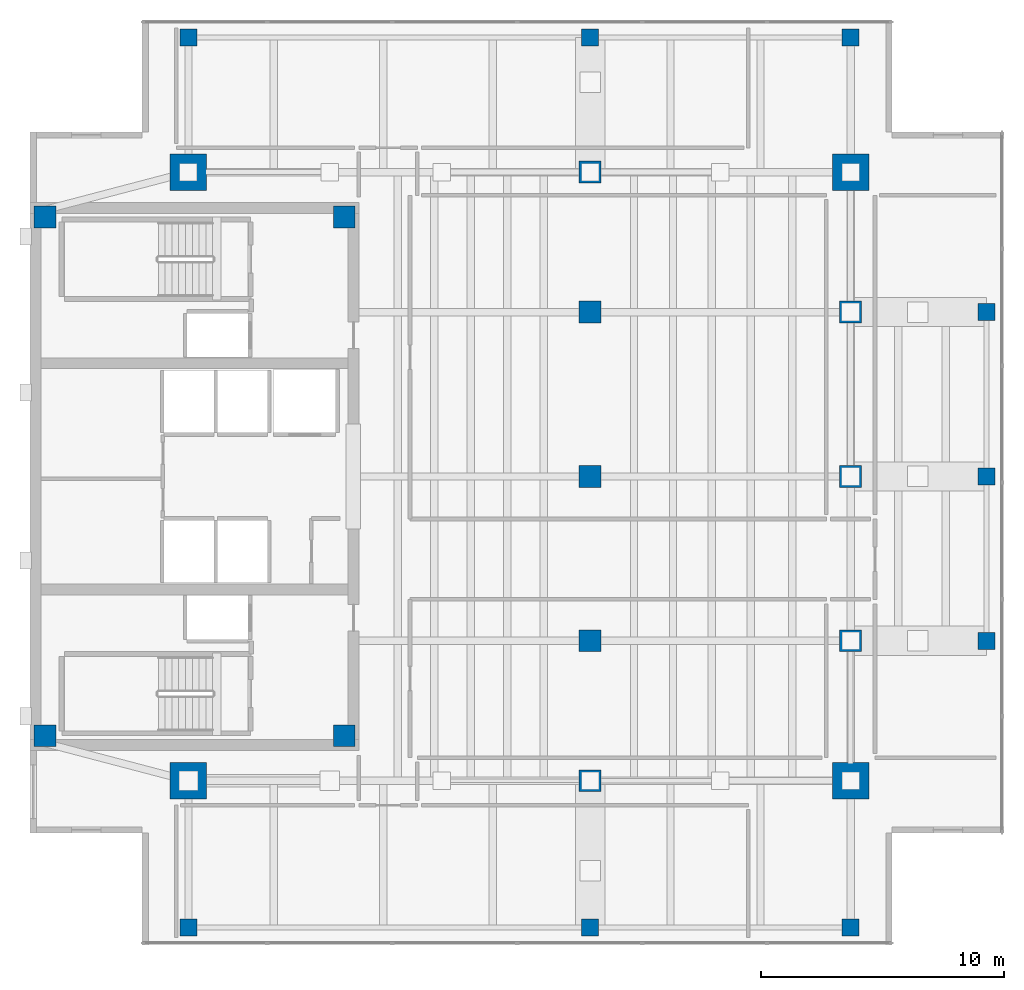
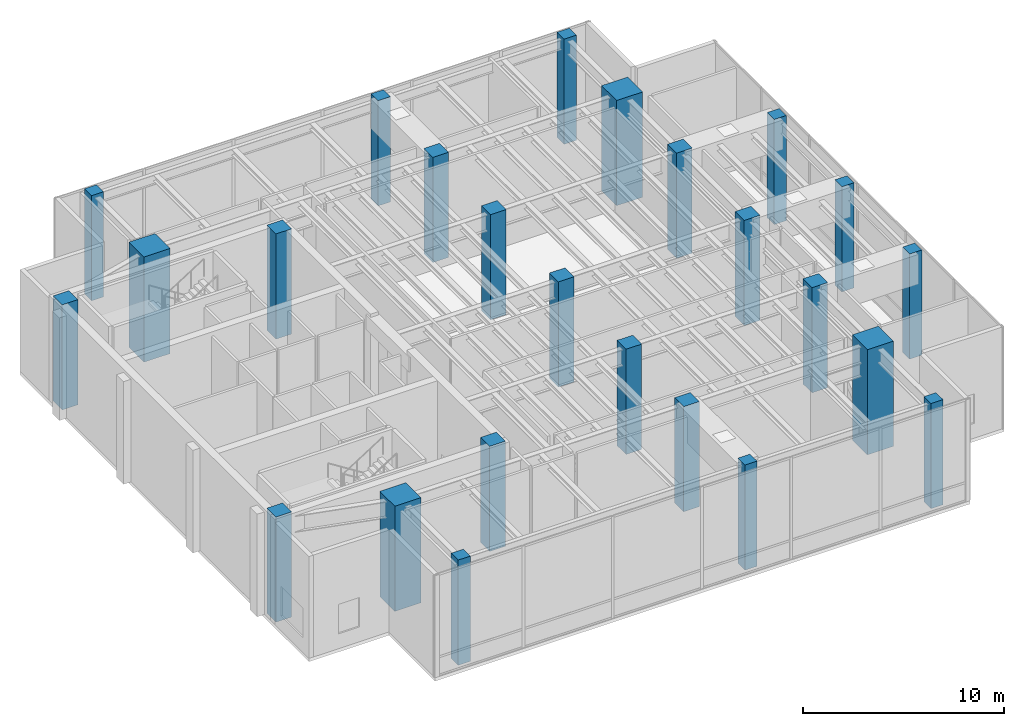
# One storey, part 1 of 11: 25 columns.
"""IFC4 building model written with IfcOpenShell, lengths in metres."""

from ifc_helpers import new_model, si_unit, direction, frame, origin, origin_2d, place, context, subcontext, project, spatial, rectangle, extrude, material, material_profile, profile_set, type_object, element, save


model = new_model("IFC4")

# Units and contexts
model_context = context("Model", 3, precision=1e-05, world=origin(), true_north=direction((0.0, 1.0)))
body_context = subcontext(model_context, "Body", "Model", "MODEL_VIEW")
ifc_project = project(units=[si_unit("LENGTHUNIT", "METRE"), si_unit("AREAUNIT", "SQUARE_METRE"), si_unit("VOLUMEUNIT", "CUBIC_METRE"), si_unit("PLANEANGLEUNIT", "RADIAN"), si_unit("MASSUNIT", "GRAM", prefix="KILO")], contexts=[model_context])

# Site, building, storey
site_placement = place(None, origin())
site = spatial("IfcSite", under=ifc_project, at=site_placement, CompositionType="ELEMENT")
building_placement = place(site_placement, origin())
building = spatial("IfcBuilding", under=site, at=building_placement, Name="Kinhvarn Gate Tower", CompositionType="ELEMENT")
storey_placement = place(building_placement, frame((0.0, 0.0, 296.64990234375)))
storey = spatial("IfcBuildingStorey", under=building, at=storey_placement, Name="L79", CompositionType="ELEMENT", Elevation=296.64990234375)

# Columns
ifc_material_1 = material(Name="Concrete C50/60", Category="concrete")
ifc_material_profile_1 = material_profile(ifc_material_1, rectangle(XDim=1.5, YDim=1.5, at=origin_2d()), Name="RC 1500x1500")
ifc_profile_set_1 = profile_set([ifc_material_profile_1], Name="Concrete C50/60")
column_type_1 = type_object("IfcColumnType", Name="COL-MC-1500", PredefinedType="COLUMN", material=ifc_profile_set_1)
for number, where, z_axis, x_axis, name in (
    (1, (11.0, 12.75, 0.0), (0.0, 0.0, 1.0), (1.0, 0.0, 0.0), "Column MC1-L79 (MC-15)"),
    (2, (11.0, 37.75, 0.0), (0.0, 0.0, 1.0), (1.0, 0.0, 0.0), "Column MC4-L79 (MC-15)"),
    (3, (38.199951171875, 12.75, 0.0), (0.0, 0.0, 1.0), (1.0, 0.0, 0.0), "Column MC2-L79 (MC-15)"),
    (4, (38.199951171875, 37.75, 0.0), (0.0, 0.0, 1.0), (1.0, 0.0, 0.0), "Column MC3-L79 (MC-15)"),
):
    element("IfcColumn", number, at=place(storey_placement, frame(where, z_axis=z_axis, x_axis=x_axis)), inside=storey, type_object=column_type_1, Name=name, PredefinedType="COLUMN", context=body_context, shape_type="SweptSolid", body=[
        extrude(rectangle(XDim=1.5, YDim=1.5, at=origin_2d()), origin(), (0.0, 0.0, 1.0), 6.400146484375),
    ])
ifc_material_profile_2 = material_profile(ifc_material_1, rectangle(XDim=0.699951171875, YDim=0.699951171875, at=origin_2d()), Name="RC 700x700")
ifc_profile_set_2 = profile_set([ifc_material_profile_2], Name="Concrete C50/60")
column_type_2 = type_object("IfcColumnType", Name="COL-RC-700", PredefinedType="COLUMN", material=ifc_profile_set_2)
for number, where, z_axis, x_axis, name in (
    (5, (43.780029296875, 18.5, 0.0), (0.0, 0.0, 1.0), (1.0, 0.0, 0.0), "Column CE-1-L79 (C-070)"),
    (6, (43.780029296875, 25.25, 0.0), (0.0, 0.0, 1.0), (1.0, 0.0, 0.0), "Column CE-2-L79 (C-070)"),
    (7, (43.780029296875, 32.0, 0.0), (0.0, 0.0, 1.0), (1.0, 0.0, 0.0), "Column CE-3-L79 (C-070)"),
    (8, (11.0, 6.719970703125, 0.0), (0.0, 0.0, 1.0), (1.0, 0.0, 0.0), "Column CS-0-L79 (C-070)"),
    (9, (27.5, 6.719970703125, 0.0), (0.0, 0.0, 1.0), (1.0, 0.0, 0.0), "Column CS-1-L79 (C-070)"),
    (10, (38.199951171875, 6.719970703125, 0.0), (0.0, 0.0, 1.0), (1.0, 0.0, 0.0), "Column CS-2-L79 (C-070)"),
    (11, (11.0, 43.280029296875, 0.0), (0.0, 0.0, 1.0), (1.0, 0.0, 0.0), "Column CN-0-L79 (C-070)"),
    (12, (27.5, 43.280029296875, 0.0), (0.0, 0.0, 1.0), (1.0, 0.0, 0.0), "Column CN-1-L79 (C-070)"),
    (13, (38.199951171875, 43.280029296875, 0.0), (0.0, 0.0, 1.0), (1.0, 0.0, 0.0), "Column CN-2-L79 (C-070)"),
):
    element("IfcColumn", number, at=place(storey_placement, frame(where, z_axis=z_axis, x_axis=x_axis)), inside=storey, type_object=column_type_2, Name=name, PredefinedType="COLUMN", context=body_context, shape_type="SweptSolid", body=[
        extrude(rectangle(XDim=0.699951171875, YDim=0.699951171875, at=origin_2d()), origin(), (0.0, 0.0, 1.0), 6.400146484375),
    ])
ifc_material_2 = material(Name="Concrete C60/75", Category="concrete")
ifc_material_profile_3 = material_profile(ifc_material_2, rectangle(XDim=0.89990234375, YDim=0.89990234375, at=origin_2d()), Name="RC 900x900")
ifc_profile_set_3 = profile_set([ifc_material_profile_3], Name="Concrete C60/75")
column_type_3 = type_object("IfcColumnType", Name="COL-RC-900", PredefinedType="COLUMN", material=ifc_profile_set_3)
for number, where, z_axis, x_axis, name in (
    (14, (27.5, 12.75, 0.0), (0.0, 0.0, 1.0), (1.0, 0.0, 0.0), "Column SP27-S-L79 (C-090)"),
    (15, (27.5, 37.75, 0.0), (0.0, 0.0, 1.0), (1.0, 0.0, 0.0), "Column SP27-N-L79 (C-090)"),
    (16, (38.199951171875, 18.5, 0.0), (0.0, 0.0, 1.0), (1.0, 0.0, 0.0), "Column SP38-E1-L79 (C-090)"),
    (17, (38.199951171875, 25.25, 0.0), (0.0, 0.0, 1.0), (1.0, 0.0, 0.0), "Column SP38-E2-L79 (C-090)"),
    (18, (38.199951171875, 32.0, 0.0), (0.0, 0.0, 1.0), (1.0, 0.0, 0.0), "Column SP38-E3-L79 (C-090)"),
    (19, (27.5, 18.5, 0.0), (0.0, 0.0, 1.0), (1.0, 0.0, 0.0), "Column CRANC-1-L79 (C-090)"),
    (20, (27.5, 25.25, 0.0), (0.0, 0.0, 1.0), (1.0, 0.0, 0.0), "Column CRANC-2-L79 (C-090)"),
    (21, (27.5, 32.0, 0.0), (0.0, 0.0, 1.0), (1.0, 0.0, 0.0), "Column CRANC-3-L79 (C-090)"),
):
    element("IfcColumn", number, at=place(storey_placement, frame(where, z_axis=z_axis, x_axis=x_axis)), inside=storey, type_object=column_type_3, Name=name, PredefinedType="COLUMN", context=body_context, shape_type="SweptSolid", body=[
        extrude(rectangle(XDim=0.89990234375, YDim=0.89990234375, at=origin_2d()), origin(), (0.0, 0.0, 1.0), 6.400146484375),
    ])
ifc_material_profile_4 = material_profile(ifc_material_1, rectangle(XDim=0.89990234375, YDim=0.89990234375, at=origin_2d()), Name="RC 900x900")
ifc_profile_set_4 = profile_set([ifc_material_profile_4], Name="Concrete C50/60")
column_type_4 = type_object("IfcColumnType", Name="PIL-RC-900", PredefinedType="PILASTER", material=ifc_profile_set_4)
for number, where, z_axis, x_axis, name in (
    (22, (5.10009765625, 14.60009765625, 0.0), (0.0, 0.0, 1.0), (1.0, 0.0, 0.0), "Column CC-SW-L79 (CP-090)"),
    (23, (5.10009765625, 35.89990234375, 0.0), (0.0, 0.0, 1.0), (1.0, 0.0, 0.0), "Column CC-NW-L79 (CP-090)"),
    (24, (17.39990234375, 14.60009765625, 0.0), (0.0, 0.0, 1.0), (1.0, 0.0, 0.0), "Column CC-SE-L79 (CP-090)"),
    (25, (17.39990234375, 35.89990234375, 0.0), (0.0, 0.0, 1.0), (1.0, 0.0, 0.0), "Column CC-NE-L79 (CP-090)"),
):
    element("IfcColumn", number, at=place(storey_placement, frame(where, z_axis=z_axis, x_axis=x_axis)), inside=storey, type_object=column_type_4, Name=name, PredefinedType="PILASTER", context=body_context, shape_type="SweptSolid", body=[
        extrude(rectangle(XDim=0.89990234375, YDim=0.89990234375, at=origin_2d()), origin(), (0.0, 0.0, 1.0), 6.400146484375),
    ])

save(model, "model.ifc")
